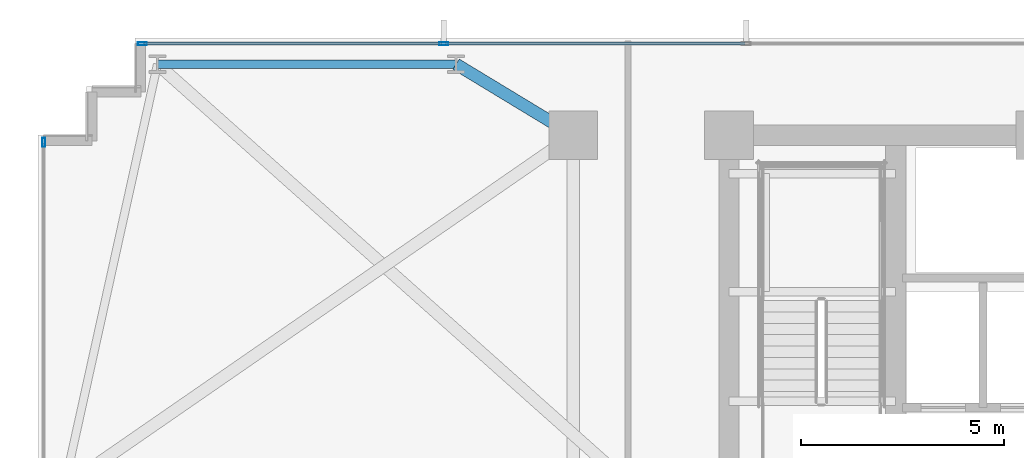
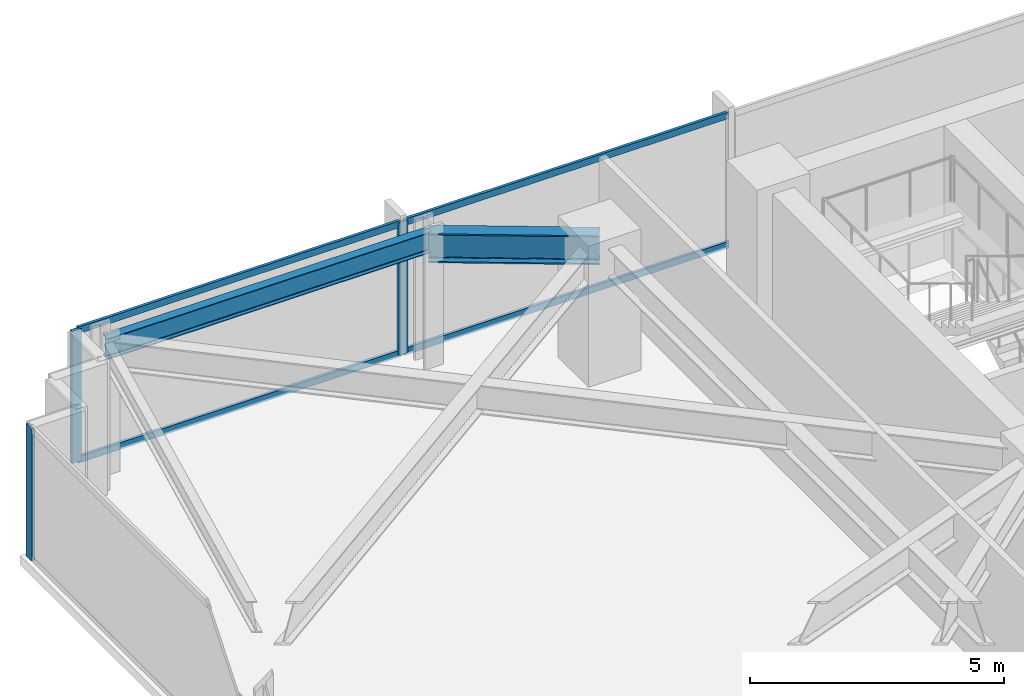
# One storey, part 17 of 32: 7 members, 2 beams, 2 elements without a shape of their own.
"""IFC4 building model written with IfcOpenShell, lengths in metres."""

from ifc_helpers import new_model, si_unit, direction, frame, origin, origin_2d, place, context, subcontext, project, spatial, hollow_rectangle, i_section, extrude, material, material_profile, profile_set, type_object, element, aggregate, save


model = new_model("IFC4")

# Units and contexts
model_context = context("Model", 3, precision=1e-05, world=origin(), true_north=direction((0.0, 1.0)))
body_context = subcontext(model_context, "Body", "Model", "MODEL_VIEW")
ifc_project = project(units=[si_unit("LENGTHUNIT", "METRE"), si_unit("AREAUNIT", "SQUARE_METRE"), si_unit("VOLUMEUNIT", "CUBIC_METRE"), si_unit("PLANEANGLEUNIT", "RADIAN"), si_unit("MASSUNIT", "GRAM", prefix="KILO")], contexts=[model_context])

# Site, building, storey
site_placement = place(None, origin())
site = spatial("IfcSite", under=ifc_project, at=site_placement, CompositionType="ELEMENT")
building_placement = place(site_placement, origin())
building = spatial("IfcBuilding", under=site, at=building_placement, Name="Yelkora Congress Tower", CompositionType="ELEMENT")
storey_placement = place(building_placement, frame((0.0, 0.0, 50.800048828125)))
storey = spatial("IfcBuildingStorey", under=building, at=storey_placement, Name="L12", CompositionType="ELEMENT", Elevation=50.800048828125)

# Beams
ifc_material_1 = material(Name="Steel S355J2", Category="steel")
ifc_material_profile_1 = material_profile(ifc_material_1, i_section(OverallWidth=0.300048828125, OverallDepth=0.699951171875, WebThickness=0.01708984375, FlangeThickness=0.031982421875, FilletRadius=0.027099609375, at=origin_2d()), Name="HEB 700")
ifc_profile_set_1 = profile_set([ifc_material_profile_1], Name="Steel S355J2")
beam_type_1 = type_object("IfcBeamType", Name="BM-GIRD-HEB700", PredefinedType="BEAM", material=ifc_profile_set_1)
beam_1_placement = place(storey_placement, frame((16.3125, 47.949951171875, 2.829833984375), z_axis=(0.855193946581, -0.518308126244, 0.0), x_axis=(0.518308126244, 0.855193946581, 0.0)))
element("IfcBeam", 1, at=beam_1_placement, inside=storey, type_object=beam_type_1, Name="L12 Primary Frame Girder N02", PredefinedType="BEAM", context=body_context, shape_type="SweptSolid", body=[
    extrude(i_section(OverallWidth=0.300048828125, OverallDepth=0.699951171875, WebThickness=0.01708984375, FlangeThickness=0.031982421875, FilletRadius=0.027099609375, at=origin_2d()), origin(), (0.0, 0.0, 1.0), 3.37646484375),
])
ifc_material_profile_2 = material_profile(ifc_material_1, i_section(OverallWidth=0.199951171875, OverallDepth=0.5, WebThickness=0.01025390625, FlangeThickness=0.01611328125, FilletRadius=0.02099609375, at=origin_2d()), Name="IPE 500")
ifc_profile_set_2 = profile_set([ifc_material_profile_2], Name="Steel S355J2")
beam_type_2 = type_object("IfcBeamType", Name="BM-SPAN-IPE500", PredefinedType="SPANDREL", material=ifc_profile_set_2)
beam_2_placement = place(storey_placement, frame((16.3125, 47.949951171875, 2.929931640625), z_axis=(-1.0, 0.0, 0.0), x_axis=(0.0, -1.0, 0.0)))
element("IfcBeam", 2, at=beam_2_placement, inside=storey, type_object=beam_type_2, Name="L12 Perimeter Beam 16", PredefinedType="SPANDREL", context=body_context, shape_type="SweptSolid", body=[
    extrude(i_section(OverallWidth=0.199951171875, OverallDepth=0.5, WebThickness=0.01025390625, FlangeThickness=0.01611328125, FilletRadius=0.02099609375, at=origin_2d()), origin(), (0.0, 0.0, 1.0), 7.362548828125),
])

# Curtain wall, member
ifc_material_2 = material(Name="Anodised aluminium and insulated glass", Category="aluminium")
curtain_wall_type = type_object("IfcCurtainWallType", Name="CW-SYS-B1", PredefinedType="NOTDEFINED", material=ifc_material_2)
curtain_wall_1_placement = place(storey_placement, origin())
curtain_wall_1 = element("IfcCurtainWall", 3, at=curtain_wall_1_placement, inside=storey, type_object=curtain_wall_type, Name="L12 Unitised Curtain Wall 5", PredefinedType="NOTDEFINED")
ifc_material_3 = material(Name="Anodised aluminium 6063-T6", Category="aluminium")
ifc_material_profile_3 = material_profile(ifc_material_3, hollow_rectangle(XDim=0.074951171875, YDim=0.219970703125, WallThickness=0.0048828125, at=origin_2d()), Name="ALU 75x220x5")
ifc_profile_set_3 = profile_set([ifc_material_profile_3], Name="Anodised aluminium 6063-T6")
member_type_1 = type_object("IfcMemberType", Name="MEM-ML-B1", PredefinedType="MULLION", material=ifc_profile_set_3)
member_1_placement = place(storey_placement, frame((6.139892578125, 46.0224609375, 0.0), z_axis=(0.0, 0.0, 1.0), x_axis=(-1.0, 0.0, 0.0)))
member_1 = element("IfcMember", 4, at=member_1_placement, type_object=member_type_1, Name="CW-B1 mullion 5", PredefinedType="MULLION", context=body_context, shape_type="SweptSolid", body=[
    extrude(hollow_rectangle(XDim=0.074951171875, YDim=0.219970703125, WallThickness=0.0048828125, at=origin_2d()), origin(), (0.0, 0.0, 1.0), 3.179931640625),
])
aggregate(curtain_wall_1, [member_1])

# Curtain wall, members
curtain_wall_2_placement = place(storey_placement, origin())
curtain_wall_2 = element("IfcCurtainWall", 5, at=curtain_wall_2_placement, inside=storey, type_object=curtain_wall_type, Name="L12 Unitised Curtain Wall 10", PredefinedType="NOTDEFINED")
member_2_placement = place(storey_placement, frame((8.577392578125, 48.4599609375, 0.0), z_axis=(0.0, 0.0, 1.0), x_axis=(0.0, 1.0, 0.0)))
member_2 = element("IfcMember", 6, at=member_2_placement, type_object=member_type_1, Name="CW-B1 mullion 1", PredefinedType="MULLION", context=body_context, shape_type="SweptSolid", body=[
    extrude(hollow_rectangle(XDim=0.074951171875, YDim=0.219970703125, WallThickness=0.0048828125, at=origin_2d()), origin(), (0.0, 0.0, 1.0), 3.179931640625),
])
member_3_placement = place(storey_placement, frame((16.0048828125, 48.4599609375, 0.0), z_axis=(0.0, 0.0, 1.0), x_axis=(0.0, 1.0, 0.0)))
member_3 = element("IfcMember", 7, at=member_3_placement, type_object=member_type_1, Name="CW-B1 mullion 2", PredefinedType="MULLION", context=body_context, shape_type="SweptSolid", body=[
    extrude(hollow_rectangle(XDim=0.074951171875, YDim=0.219970703125, WallThickness=0.0048828125, at=origin_2d()), origin(), (0.0, 0.0, 1.0), 3.179931640625),
])
ifc_material_profile_4 = material_profile(ifc_material_3, hollow_rectangle(XDim=0.06494140625, YDim=0.159912109375, WallThickness=0.00390625, at=origin_2d()), Name="ALU 65x160x4")
ifc_profile_set_4 = profile_set([ifc_material_profile_4], Name="Anodised aluminium 6063-T6")
member_type_2 = type_object("IfcMemberType", Name="MEM-TR-B1", PredefinedType="USERDEFINED", material=ifc_profile_set_4)
member_4_placement = place(storey_placement, frame((8.614990234375, 48.4599609375, 0.032470703125), z_axis=(1.0, 0.0, 0.0), x_axis=(0.0, 1.0, 0.0)))
member_4 = element("IfcMember", 8, at=member_4_placement, type_object=member_type_2, Name="CW-B1 transom 1.1", ObjectType="TRANSOM", PredefinedType="USERDEFINED", context=body_context, shape_type="SweptSolid", body=[
    extrude(hollow_rectangle(XDim=0.06494140625, YDim=0.159912109375, WallThickness=0.00390625, at=origin_2d()), origin(), (0.0, 0.0, 1.0), 7.3525390625),
])
member_5_placement = place(storey_placement, frame((8.614990234375, 48.4599609375, 3.1474609375), z_axis=(1.0, 0.0, 0.0), x_axis=(0.0, 1.0, 0.0)))
member_5 = element("IfcMember", 9, at=member_5_placement, type_object=member_type_2, Name="CW-B1 transom 1.2", ObjectType="TRANSOM", PredefinedType="USERDEFINED", context=body_context, shape_type="SweptSolid", body=[
    extrude(hollow_rectangle(XDim=0.06494140625, YDim=0.159912109375, WallThickness=0.00390625, at=origin_2d()), origin(), (0.0, 0.0, 1.0), 7.3525390625),
])
member_6_placement = place(storey_placement, frame((16.04248046875, 48.4599609375, 0.032470703125), z_axis=(1.0, 0.0, 0.0), x_axis=(0.0, 1.0, 0.0)))
member_6 = element("IfcMember", 10, at=member_6_placement, type_object=member_type_2, Name="CW-B1 transom 2.1", ObjectType="TRANSOM", PredefinedType="USERDEFINED", context=body_context, shape_type="SweptSolid", body=[
    extrude(hollow_rectangle(XDim=0.06494140625, YDim=0.159912109375, WallThickness=0.00390625, at=origin_2d()), origin(), (0.0, 0.0, 1.0), 7.39013671875),
])
member_7_placement = place(storey_placement, frame((16.04248046875, 48.4599609375, 3.1474609375), z_axis=(1.0, 0.0, 0.0), x_axis=(0.0, 1.0, 0.0)))
member_7 = element("IfcMember", 11, at=member_7_placement, type_object=member_type_2, Name="CW-B1 transom 2.2", ObjectType="TRANSOM", PredefinedType="USERDEFINED", context=body_context, shape_type="SweptSolid", body=[
    extrude(hollow_rectangle(XDim=0.06494140625, YDim=0.159912109375, WallThickness=0.00390625, at=origin_2d()), origin(), (0.0, 0.0, 1.0), 7.39013671875),
])
aggregate(curtain_wall_2, [member_2, member_3, member_4, member_5, member_6, member_7])

save(model, "model.ifc")
